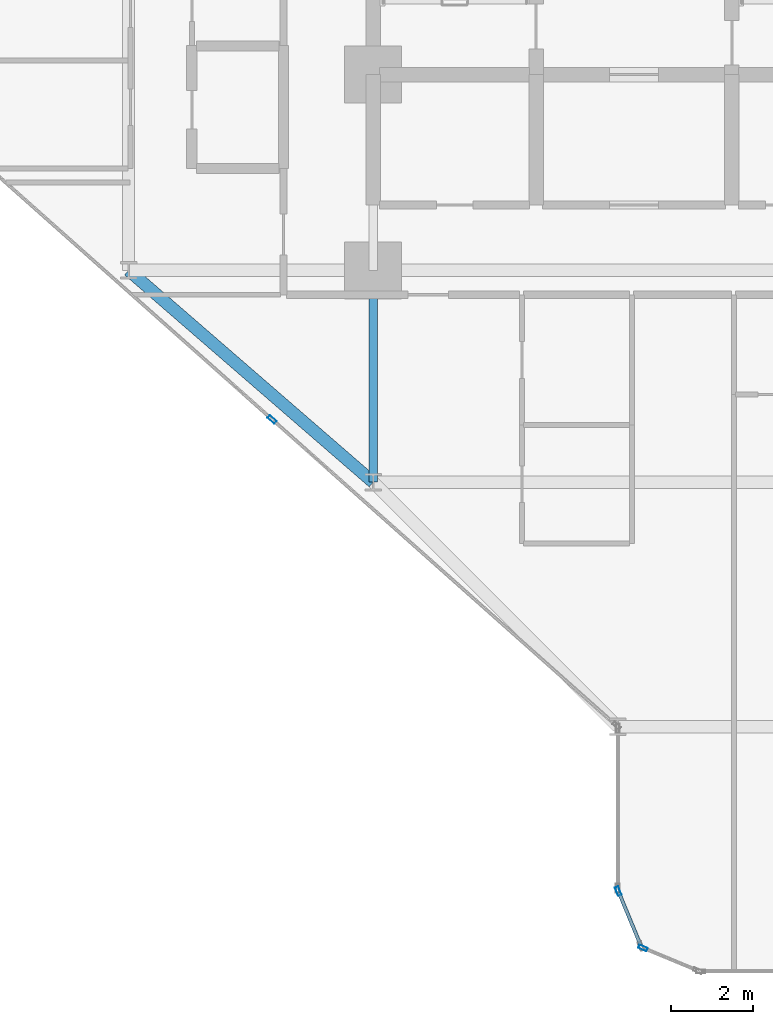
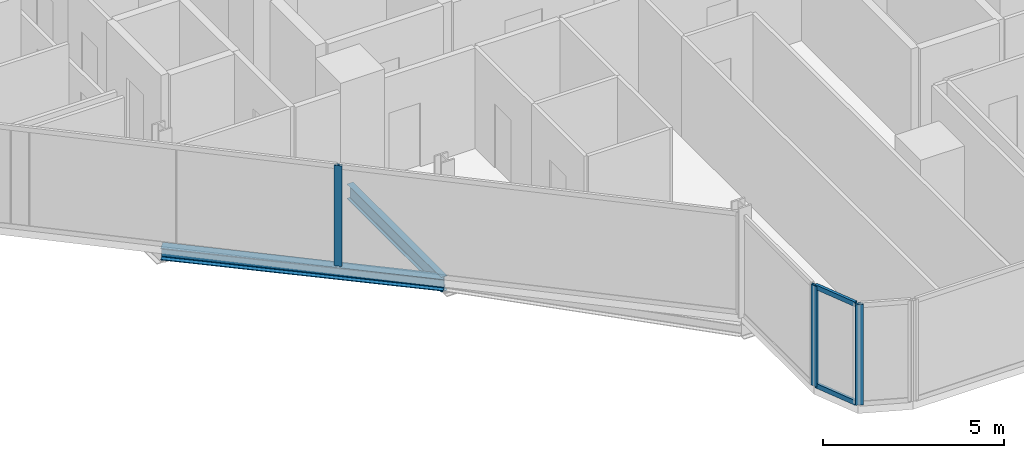
# One storey, part 2 of 33: 5 members, 2 beams, 3 elements without a shape of their own.
"""IFC4 building model written with IfcOpenShell, lengths in metres."""

from ifc_helpers import new_model, si_unit, direction, frame, origin, origin_2d, place, context, subcontext, project, spatial, hollow_rectangle, i_section, extrude, material, layer, layer_set, material_profile, profile_set, type_object, element, aggregate, save


model = new_model("IFC4")

# Units and contexts
model_context = context("Model", 3, precision=1e-05, world=origin(), true_north=direction((0.0, 1.0)))
body_context = subcontext(model_context, "Body", "Model", "MODEL_VIEW")
ifc_project = project(units=[si_unit("LENGTHUNIT", "METRE"), si_unit("AREAUNIT", "SQUARE_METRE"), si_unit("VOLUMEUNIT", "CUBIC_METRE"), si_unit("PLANEANGLEUNIT", "RADIAN"), si_unit("MASSUNIT", "GRAM", prefix="KILO")], contexts=[model_context])

# Site, building, storey
site_placement = place(None, origin())
site = spatial("IfcSite", under=ifc_project, at=site_placement, CompositionType="ELEMENT")
building_placement = place(site_placement, origin())
building = spatial("IfcBuilding", under=site, at=building_placement, Name="Keshet Zoharim Tower", CompositionType="ELEMENT")
storey_placement = place(building_placement, frame((0.0, 0.0, 35.10009765625)))
storey = spatial("IfcBuildingStorey", under=building, at=storey_placement, Name="L07", CompositionType="ELEMENT", Elevation=35.10009765625)

# Beams
ifc_material_1 = material(Name="Steel S355", Category="steel")
ifc_material_profile_1 = material_profile(ifc_material_1, i_section(OverallWidth=0.199951171875, OverallDepth=0.5, WebThickness=0.01025390625, FlangeThickness=0.01611328125, FilletRadius=0.02099609375, at=origin_2d()), Name="IPE500")
ifc_profile_set_1 = profile_set([ifc_material_profile_1], Name="Steel S355")
beam_type_1 = type_object("IfcBeamType", Name="BM-PRI-IP500", PredefinedType="BEAM", material=ifc_profile_set_1)
beam_1_placement = place(storey_placement, frame((15.0, 12.699951171875, -0.565185546875), z_axis=(0.0, 1.0, 0.0), x_axis=(-1.0, 0.0, 0.0)))
element("IfcBeam", 1, at=beam_1_placement, inside=storey, type_object=beam_type_1, Name="L07 Primary Girder Y-002", PredefinedType="BEAM", context=body_context, shape_type="SweptSolid", body=[
    extrude(i_section(OverallWidth=0.199951171875, OverallDepth=0.5, WebThickness=0.01025390625, FlangeThickness=0.01611328125, FilletRadius=0.02099609375, at=origin_2d()), origin(), (0.0, 0.0, 1.0), 5.199951171875),
])
ifc_material_profile_2 = material_profile(ifc_material_1, i_section(OverallWidth=0.300048828125, OverallDepth=0.39990234375, WebThickness=0.013427734375, FlangeThickness=0.02392578125, FilletRadius=0.027099609375, at=origin_2d()), Name="HEB400")
ifc_profile_set_2 = profile_set([ifc_material_profile_2], Name="Steel S355")
beam_type_2 = type_object("IfcBeamType", Name="BM-SPN-HB400", PredefinedType="SPANDREL", material=ifc_profile_set_2)
beam_2_placement = place(storey_placement, frame((9.0, 17.89990234375, -0.51513671875), z_axis=(0.755692126483, -0.654927026447, 0.0), x_axis=(0.654927026447, 0.755692126483, 0.0)))
element("IfcBeam", 2, at=beam_2_placement, inside=storey, type_object=beam_type_2, Name="L07 Perimeter Spandrel Beam 02", PredefinedType="SPANDREL", context=body_context, shape_type="SweptSolid", body=[
    extrude(i_section(OverallWidth=0.300048828125, OverallDepth=0.39990234375, WebThickness=0.013427734375, FlangeThickness=0.02392578125, FilletRadius=0.027099609375, at=origin_2d()), origin(), (0.0, 0.0, 1.0), 7.939697265625),
])

# Curtain wall, member
ifc_material_2 = material(Name="Aluminium 6063-T6", Category="aluminium")
ifc_layer = layer(ifc_material_2, 0.179931640625)
ifc_layer_set = layer_set([ifc_layer], Name="Aluminium 6063-T6")
curtain_wall_type = type_object("IfcCurtainWallType", Name="CW-SYS-01", PredefinedType="NOTDEFINED", material=ifc_layer_set)
curtain_wall_1_placement = place(storey_placement, origin())
curtain_wall_1 = element("IfcCurtainWall", 3, at=curtain_wall_1_placement, inside=storey, type_object=curtain_wall_type, Name="L07 Unitised Curtain Wall 01", PredefinedType="NOTDEFINED")
ifc_material_profile_3 = material_profile(ifc_material_2, hollow_rectangle(XDim=0.090087890625, YDim=0.219970703125, WallThickness=0.0048828125, at=origin_2d()), Name="MUL-90x220")
ifc_profile_set_3 = profile_set([ifc_material_profile_3], Name="Aluminium 6063-T6")
member_type_1 = type_object("IfcMemberType", Name="CWM-M22", PredefinedType="MULLION", material=ifc_profile_set_3)
member_1_placement = place(storey_placement, frame((12.517578125, 14.239990234375, 0.0), z_axis=(0.0, 0.0, 1.0), x_axis=(-0.664363838836, -0.747409318679, 0.0)))
member_1 = element("IfcMember", 4, at=member_1_placement, type_object=member_type_1, Name="CW-01 mullion 2", PredefinedType="MULLION", context=body_context, shape_type="SweptSolid", body=[
    extrude(hollow_rectangle(XDim=0.090087890625, YDim=0.219970703125, WallThickness=0.0048828125, at=origin_2d()), origin(), (0.0, 0.0, 1.0), 3.385009765625),
])
aggregate(curtain_wall_1, [member_1])

curtain_wall_2_placement = place(storey_placement, origin())
curtain_wall_2 = element("IfcCurtainWall", 5, at=curtain_wall_2_placement, inside=storey, type_object=curtain_wall_type, Name="L07 Unitised Curtain Wall 27", PredefinedType="NOTDEFINED")
member_2_placement = place(storey_placement, frame((21.618408203125, 1.272705078125, 0.0), z_axis=(0.0, 0.0, 1.0), x_axis=(-0.382851849847, -0.92380975372, 0.0)))
member_2 = element("IfcMember", 6, at=member_2_placement, type_object=member_type_1, Name="CW-01 mullion 2", PredefinedType="MULLION", context=body_context, shape_type="SweptSolid", body=[
    extrude(hollow_rectangle(XDim=0.090087890625, YDim=0.219970703125, WallThickness=0.0048828125, at=origin_2d()), origin(), (0.0, 0.0, 1.0), 3.385009765625),
])
aggregate(curtain_wall_2, [member_2])

# Curtain wall, members
curtain_wall_3_placement = place(storey_placement, origin())
curtain_wall_3 = element("IfcCurtainWall", 7, at=curtain_wall_3_placement, inside=storey, type_object=curtain_wall_type, Name="L07 Unitised Curtain Wall 28", PredefinedType="NOTDEFINED")
member_3_placement = place(storey_placement, frame((21.013427734375, 2.667724609375, 0.0), z_axis=(0.0, 0.0, 1.0), x_axis=(-0.92380975372, -0.382851849847, 0.0)))
member_3 = element("IfcMember", 8, at=member_3_placement, type_object=member_type_1, Name="CW-01 mullion 2", PredefinedType="MULLION", context=body_context, shape_type="SweptSolid", body=[
    extrude(hollow_rectangle(XDim=0.090087890625, YDim=0.219970703125, WallThickness=0.0048828125, at=origin_2d()), origin(), (0.0, 0.0, 1.0), 3.385009765625),
])
ifc_material_profile_4 = material_profile(ifc_material_2, hollow_rectangle(XDim=0.0849609375, YDim=0.159912109375, WallThickness=0.00439453125, at=origin_2d()), Name="TRN-85x160")
ifc_profile_set_4 = profile_set([ifc_material_profile_4], Name="Aluminium 6063-T6")
member_type_2 = type_object("IfcMemberType", Name="CWT-T16", PredefinedType="USERDEFINED", material=ifc_profile_set_4)
member_4_placement = place(storey_placement, frame((21.55908203125, 1.3505859375, 0.034912109375), z_axis=(-0.382744609247, 0.923854189844, 0.0), x_axis=(-0.923854189844, -0.382744609247, 0.0)))
member_4 = element("IfcMember", 9, at=member_4_placement, type_object=member_type_2, Name="CW-01 transom 1.1", ObjectType="TRANSOM", PredefinedType="USERDEFINED", context=body_context, shape_type="SweptSolid", body=[
    extrude(hollow_rectangle(XDim=0.0849609375, YDim=0.159912109375, WallThickness=0.00439453125, at=origin_2d()), origin(), (0.0, 0.0, 1.0), 1.390625),
])
member_5_placement = place(storey_placement, frame((21.55908203125, 1.3505859375, 3.349853515625), z_axis=(-0.382744609247, 0.923854189844, 0.0), x_axis=(-0.923854189844, -0.382744609247, 0.0)))
member_5 = element("IfcMember", 10, at=member_5_placement, type_object=member_type_2, Name="CW-01 transom 1.2", ObjectType="TRANSOM", PredefinedType="USERDEFINED", context=body_context, shape_type="SweptSolid", body=[
    extrude(hollow_rectangle(XDim=0.0849609375, YDim=0.159912109375, WallThickness=0.00439453125, at=origin_2d()), origin(), (0.0, 0.0, 1.0), 1.390625),
])
aggregate(curtain_wall_3, [member_3, member_4, member_5])

save(model, "model.ifc")
